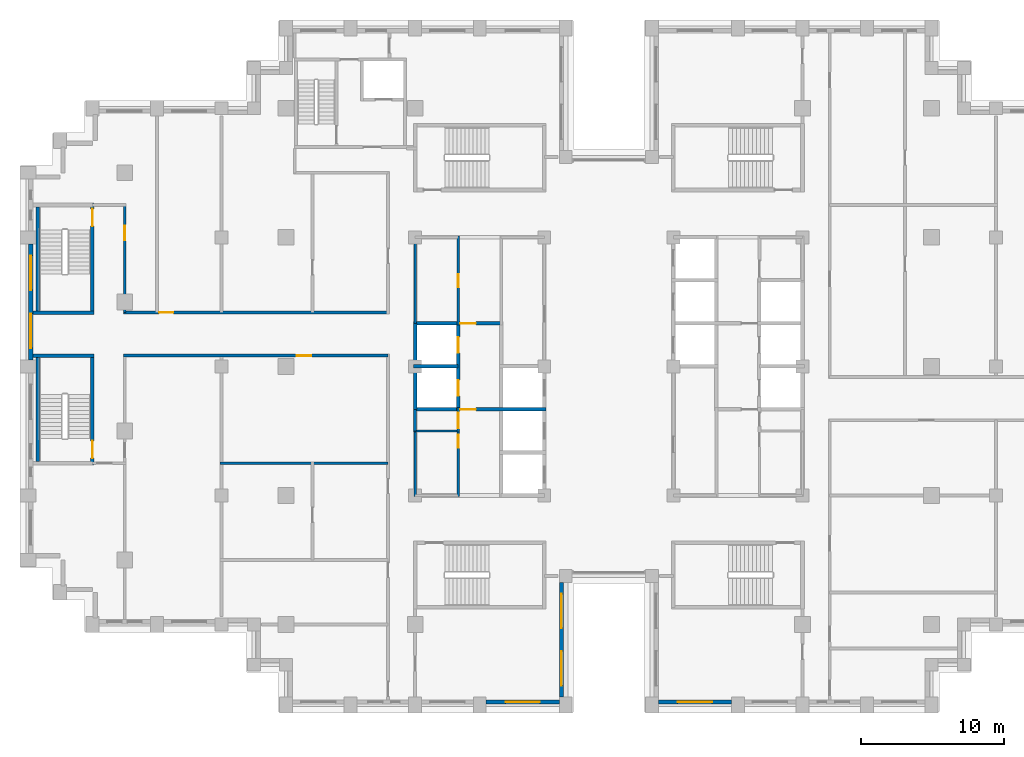
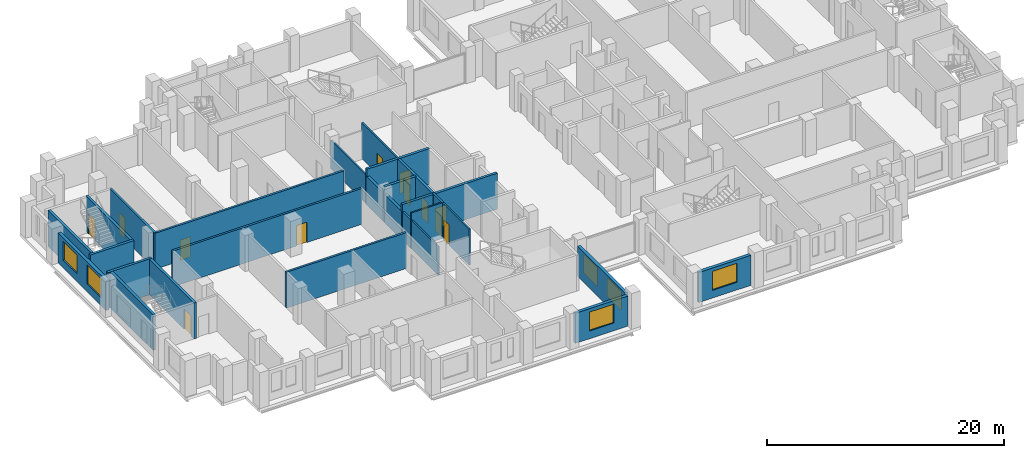
# One storey, part 7 of 15: 26 walls, 12 doors, 6 windows, 18 openings.
"""IFC4 building model written with IfcOpenShell, lengths in metres."""

from ifc_helpers import new_model, si_unit, direction, frame, frame_2d, origin, place, context, subcontext, project, spatial, rectangle, extrude, material, layer, layer_set, type_object, element, fill, save


model = new_model("IFC4")

# Units and contexts
model_context = context("Model", 3, precision=1e-05, world=origin(), true_north=direction((0.0, 1.0)))
body_context = subcontext(model_context, "Body", "Model", "MODEL_VIEW")
ifc_project = project(units=[si_unit("LENGTHUNIT", "METRE"), si_unit("AREAUNIT", "SQUARE_METRE"), si_unit("VOLUMEUNIT", "CUBIC_METRE"), si_unit("PLANEANGLEUNIT", "RADIAN"), si_unit("MASSUNIT", "GRAM", prefix="KILO")], contexts=[model_context])

# Site, building, storey
site_placement = place(None, origin())
site = spatial("IfcSite", under=ifc_project, at=site_placement, CompositionType="ELEMENT")
building_placement = place(site_placement, origin())
building = spatial("IfcBuilding", under=site, at=building_placement, Name="Corbelhall Arena Tower", CompositionType="ELEMENT")
storey_placement = place(building_placement, frame((0.0, 0.0, 162.0)))
storey = spatial("IfcBuildingStorey", under=building, at=storey_placement, Name="L32", CompositionType="ELEMENT", Elevation=162.0)

# Wall, openings, windows
ifc_material_1 = material(Name="Precast concrete C40/50 with granite facing", Category="masonry")
ifc_layer_1 = layer(ifc_material_1, 0.300048828125)
ifc_layer_set_1 = layer_set([ifc_layer_1], Name="EV-IW1 Infill panel 300")
wall_type_1 = type_object("IfcWallType", Name="EV-IW1 Infill panel 300", PredefinedType="SOLIDWALL", material=ifc_layer_set_1)
wall_1_placement = place(storey_placement, frame((-40.300048828125, 8.550048828125, 0.0), z_axis=(0.0, 0.0, 1.0), x_axis=(0.0, -1.0, 0.0)))
wall_1 = element("IfcWall", 1, at=wall_1_placement, inside=storey, type_object=wall_type_1, Name="Infill panel IW1", PredefinedType="SOLIDWALL", context=body_context, shape_type="SweptSolid", body=[
    extrude(rectangle(XDim=8.10009765625, YDim=0.300048828125, at=frame_2d((4.050048828125, 0.0))), origin(), (0.0, 0.0, 1.0), 3.10009765625),
])
opening_1_placement = place(wall_1_placement, frame((0.824951171875, 0.0, 0.800048828125)))
opening_1 = element("IfcOpeningElement", 2, at=opening_1_placement, cuts=wall_1, Name="Opening WN1", PredefinedType="OPENING", context=body_context, shape_type="SweptSolid", body=[
    extrude(rectangle(XDim=2.39990234375, YDim=1.949951171875, at=frame_2d((1.199951171875, 0.97509765625))), frame((0.0, 0.14990234375, 0.0), z_axis=(0.0, -1.0, 0.0), x_axis=(1.0, 0.0, 0.0)), (0.0, 0.0, 1.0), 0.300048828125),
])
opening_2_placement = place(wall_1_placement, frame((4.875, 0.0, 0.800048828125)))
opening_2 = element("IfcOpeningElement", 3, at=opening_2_placement, cuts=wall_1, Name="Opening WN1", PredefinedType="OPENING", context=body_context, shape_type="SweptSolid", body=[
    extrude(rectangle(XDim=2.39990234375, YDim=1.949951171875, at=frame_2d((1.199951171875, 0.97509765625))), frame((0.0, 0.14990234375, 0.0), z_axis=(0.0, -1.0, 0.0), x_axis=(1.0, 0.0, 0.0)), (0.0, 0.0, 1.0), 0.300048828125),
])
ifc_material_2 = material(Name="Aluminium black anodised", Category="aluminium")
window_type = type_object("IfcWindowType", Name="EV-WN1 Office window", PartitioningType="SINGLE_PANEL", PredefinedType="WINDOW", material=ifc_material_2)
window_1_placement = place(opening_1_placement, origin())
window_1 = element("IfcWindow", 4, at=window_1_placement, inside=storey, type_object=window_type, Name="Window WN1", OverallHeight=1.949951171875, OverallWidth=2.39990234375, PartitioningType="SINGLE_PANEL", PredefinedType="WINDOW", context=body_context, shape_type="SweptSolid", body=[
    extrude(rectangle(XDim=2.39990234375, YDim=1.949951171875, at=frame_2d((1.199951171875, 0.97509765625))), frame((0.0, 0.030029296875, 0.0), z_axis=(0.0, -1.0, 0.0), x_axis=(1.0, 0.0, 0.0)), (0.0, 0.0, 1.0), 0.06005859375),
])
fill(opening_1, window_1)
window_2_placement = place(opening_2_placement, origin())
window_2 = element("IfcWindow", 5, at=window_2_placement, inside=storey, type_object=window_type, Name="Window WN1", OverallHeight=1.949951171875, OverallWidth=2.39990234375, PartitioningType="SINGLE_PANEL", PredefinedType="WINDOW", context=body_context, shape_type="SweptSolid", body=[
    extrude(rectangle(XDim=2.39990234375, YDim=1.949951171875, at=frame_2d((1.199951171875, 0.97509765625))), frame((0.0, 0.030029296875, 0.0), z_axis=(0.0, -1.0, 0.0), x_axis=(1.0, 0.0, 0.0)), (0.0, 0.0, 1.0), 0.06005859375),
])
fill(opening_2, window_2)

# Wall, opening, window
wall_2_placement = place(storey_placement, frame((-8.550048828125, -23.39990234375, 0.0), z_axis=(0.0, 0.0, 1.0), x_axis=(1.0, 0.0, 0.0)))
wall_2 = element("IfcWall", 6, at=wall_2_placement, inside=storey, type_object=wall_type_1, Name="Infill panel IW1", PredefinedType="SOLIDWALL", context=body_context, shape_type="SweptSolid", body=[
    extrude(rectangle(XDim=5.10009765625, YDim=0.300048828125, at=frame_2d((2.550048828125, 0.0))), origin(), (0.0, 0.0, 1.0), 3.10009765625),
])
opening_3_placement = place(wall_2_placement, frame((1.35009765625, 0.0, 0.800048828125)))
opening_3 = element("IfcOpeningElement", 7, at=opening_3_placement, cuts=wall_2, Name="Opening WN1", PredefinedType="OPENING", context=body_context, shape_type="SweptSolid", body=[
    extrude(rectangle(XDim=2.39990234375, YDim=1.949951171875, at=frame_2d((1.199951171875, 0.97509765625))), frame((0.0, 0.14990234375, 0.0), z_axis=(0.0, -1.0, 0.0), x_axis=(1.0, 0.0, 0.0)), (0.0, 0.0, 1.0), 0.300048828125),
])
window_3_placement = place(opening_3_placement, origin())
window_3 = element("IfcWindow", 8, at=window_3_placement, inside=storey, type_object=window_type, Name="Window WN1", OverallHeight=1.949951171875, OverallWidth=2.39990234375, PartitioningType="SINGLE_PANEL", PredefinedType="WINDOW", context=body_context, shape_type="SweptSolid", body=[
    extrude(rectangle(XDim=2.39990234375, YDim=1.949951171875, at=frame_2d((1.199951171875, 0.97509765625))), frame((0.0, 0.030029296875, 0.0), z_axis=(0.0, -1.0, 0.0), x_axis=(1.0, 0.0, 0.0)), (0.0, 0.0, 1.0), 0.06005859375),
])
fill(opening_3, window_3)

# Wall, openings, windows
wall_3_placement = place(storey_placement, frame((-3.300048828125, -23.050048828125, 0.0), z_axis=(0.0, 0.0, 1.0), x_axis=(0.0, 1.0, 0.0)))
wall_3 = element("IfcWall", 9, at=wall_3_placement, inside=storey, type_object=wall_type_1, Name="Infill panel IW1", PredefinedType="SOLIDWALL", context=body_context, shape_type="SweptSolid", body=[
    extrude(rectangle(XDim=8.0, YDim=0.300048828125, at=frame_2d((4.0, 0.0))), origin(), (0.0, 0.0, 1.0), 3.10009765625),
])
opening_4_placement = place(wall_3_placement, frame((0.800048828125, 0.0, 0.800048828125)))
opening_4 = element("IfcOpeningElement", 10, at=opening_4_placement, cuts=wall_3, Name="Opening WN1", PredefinedType="OPENING", context=body_context, shape_type="SweptSolid", body=[
    extrude(rectangle(XDim=2.39990234375, YDim=1.949951171875, at=frame_2d((1.199951171875, 0.97509765625))), frame((0.0, 0.14990234375, 0.0), z_axis=(0.0, -1.0, 0.0), x_axis=(1.0, 0.0, 0.0)), (0.0, 0.0, 1.0), 0.300048828125),
])
opening_5_placement = place(wall_3_placement, frame((4.800048828125, 0.0, 0.800048828125)))
opening_5 = element("IfcOpeningElement", 11, at=opening_5_placement, cuts=wall_3, Name="Opening WN1", PredefinedType="OPENING", context=body_context, shape_type="SweptSolid", body=[
    extrude(rectangle(XDim=2.39990234375, YDim=1.949951171875, at=frame_2d((1.199951171875, 0.97509765625))), frame((0.0, 0.14990234375, 0.0), z_axis=(0.0, -1.0, 0.0), x_axis=(1.0, 0.0, 0.0)), (0.0, 0.0, 1.0), 0.300048828125),
])
window_4_placement = place(opening_4_placement, origin())
window_4 = element("IfcWindow", 12, at=window_4_placement, inside=storey, type_object=window_type, Name="Window WN1", OverallHeight=1.949951171875, OverallWidth=2.39990234375, PartitioningType="SINGLE_PANEL", PredefinedType="WINDOW", context=body_context, shape_type="SweptSolid", body=[
    extrude(rectangle(XDim=2.39990234375, YDim=1.949951171875, at=frame_2d((1.199951171875, 0.97509765625))), frame((0.0, 0.030029296875, 0.0), z_axis=(0.0, -1.0, 0.0), x_axis=(1.0, 0.0, 0.0)), (0.0, 0.0, 1.0), 0.06005859375),
])
fill(opening_4, window_4)
window_5_placement = place(opening_5_placement, origin())
window_5 = element("IfcWindow", 13, at=window_5_placement, inside=storey, type_object=window_type, Name="Window WN1", OverallHeight=1.949951171875, OverallWidth=2.39990234375, PartitioningType="SINGLE_PANEL", PredefinedType="WINDOW", context=body_context, shape_type="SweptSolid", body=[
    extrude(rectangle(XDim=2.39990234375, YDim=1.949951171875, at=frame_2d((1.199951171875, 0.97509765625))), frame((0.0, 0.030029296875, 0.0), z_axis=(0.0, -1.0, 0.0), x_axis=(1.0, 0.0, 0.0)), (0.0, 0.0, 1.0), 0.06005859375),
])
fill(opening_5, window_5)

# Wall, opening, window
wall_4_placement = place(storey_placement, frame((3.449951171875, -23.39990234375, 0.0), z_axis=(0.0, 0.0, 1.0), x_axis=(1.0, 0.0, 0.0)))
wall_4 = element("IfcWall", 14, at=wall_4_placement, inside=storey, type_object=wall_type_1, Name="Infill panel IW1", PredefinedType="SOLIDWALL", context=body_context, shape_type="SweptSolid", body=[
    extrude(rectangle(XDim=5.10009765625, YDim=0.300048828125, at=frame_2d((2.550048828125, 0.0))), origin(), (0.0, 0.0, 1.0), 3.10009765625),
])
opening_6_placement = place(wall_4_placement, frame((1.35009765625, 0.0, 0.800048828125)))
opening_6 = element("IfcOpeningElement", 15, at=opening_6_placement, cuts=wall_4, Name="Opening WN1", PredefinedType="OPENING", context=body_context, shape_type="SweptSolid", body=[
    extrude(rectangle(XDim=2.39990234375, YDim=1.949951171875, at=frame_2d((1.199951171875, 0.97509765625))), frame((0.0, 0.14990234375, 0.0), z_axis=(0.0, -1.0, 0.0), x_axis=(1.0, 0.0, 0.0)), (0.0, 0.0, 1.0), 0.300048828125),
])
window_6_placement = place(opening_6_placement, origin())
window_6 = element("IfcWindow", 16, at=window_6_placement, inside=storey, type_object=window_type, Name="Window WN1", OverallHeight=1.949951171875, OverallWidth=2.39990234375, PartitioningType="SINGLE_PANEL", PredefinedType="WINDOW", context=body_context, shape_type="SweptSolid", body=[
    extrude(rectangle(XDim=2.39990234375, YDim=1.949951171875, at=frame_2d((1.199951171875, 0.97509765625))), frame((0.0, 0.030029296875, 0.0), z_axis=(0.0, -1.0, 0.0), x_axis=(1.0, 0.0, 0.0)), (0.0, 0.0, 1.0), 0.06005859375),
])
fill(opening_6, window_6)

# Wall, opening, door
ifc_material_3 = material(Name="Gypsum board on steel stud, acoustic", Category="steel")
ifc_layer_2 = layer(ifc_material_3, 0.199951171875)
ifc_layer_set_2 = layer_set([ifc_layer_2], Name="IN-W-DM200")
wall_type_2 = type_object("IfcWallType", Name="IN-W-DM200", PredefinedType="PARTITIONING", material=ifc_layer_set_2)
wall_5_placement = place(storey_placement, frame((-33.85009765625, 3.75, 0.0), z_axis=(0.0, 0.0, 1.0), x_axis=(1.0, 0.0, 0.0)))
wall_5 = element("IfcWall", 17, at=wall_5_placement, inside=storey, type_object=wall_type_2, Name="Partition 002", PredefinedType="PARTITIONING", context=body_context, shape_type="SweptSolid", body=[
    extrude(rectangle(XDim=18.4501953125, YDim=0.199951171875, at=frame_2d((9.22509765625, 0.0))), origin(), (0.0, 0.0, 1.0), 3.699951171875),
])
opening_7_placement = place(wall_5_placement, frame((2.5, 0.0, 0.0)))
opening_7 = element("IfcOpeningElement", 18, at=opening_7_placement, cuts=wall_5, Name="Opening 09040", PredefinedType="OPENING", context=body_context, shape_type="SweptSolid", body=[
    extrude(rectangle(XDim=1.0, YDim=2.10009765625, at=frame_2d((0.5, 1.050048828125))), frame((0.0, 0.10009765625, 0.0), z_axis=(0.0, -1.0, 0.0), x_axis=(1.0, 0.0, 0.0)), (0.0, 0.0, 1.0), 0.199951171875),
])
ifc_material_4 = material(Name="Steel door set", Category="steel")
door_type_1 = type_object("IfcDoorType", Name="IN-D-SW100", OperationType="NOTDEFINED", PredefinedType="DOOR", material=ifc_material_4)
door_1_placement = place(opening_7_placement, origin())
door_1 = element("IfcDoor", 19, at=door_1_placement, inside=storey, type_object=door_type_1, Name="Door 040", OperationType="SINGLE_SWING_LEFT", OverallHeight=2.10009765625, OverallWidth=1.0, PredefinedType="DOOR", context=body_context, shape_type="SweptSolid", body=[
    extrude(rectangle(XDim=1.0, YDim=2.10009765625, at=frame_2d((0.5, 1.050048828125))), frame((0.0, 0.02490234375, 0.0), z_axis=(0.0, -1.0, 0.0), x_axis=(1.0, 0.0, 0.0)), (0.0, 0.0, 1.0), 0.050048828125),
])
fill(opening_7, door_1)

wall_6_placement = place(storey_placement, frame((-33.75, 11.25, 0.0), z_axis=(0.0, 0.0, 1.0), x_axis=(0.0, -1.0, 0.0)))
wall_6 = element("IfcWall", 20, at=wall_6_placement, inside=storey, type_object=wall_type_2, Name="Partition 004", PredefinedType="PARTITIONING", context=body_context, shape_type="SweptSolid", body=[
    extrude(rectangle(XDim=7.5, YDim=0.199951171875, at=frame_2d((3.75, 0.0))), origin(), (0.0, 0.0, 1.0), 3.699951171875),
])
opening_8_placement = place(wall_6_placement, frame((1.449951171875, 0.0, 0.0)))
opening_8 = element("IfcOpeningElement", 21, at=opening_8_placement, cuts=wall_6, Name="Opening 09039", PredefinedType="OPENING", context=body_context, shape_type="SweptSolid", body=[
    extrude(rectangle(XDim=1.0, YDim=2.10009765625, at=frame_2d((0.5, 1.050048828125))), frame((0.0, 0.10009765625, 0.0), z_axis=(0.0, -1.0, 0.0), x_axis=(1.0, 0.0, 0.0)), (0.0, 0.0, 1.0), 0.199951171875),
])
door_2_placement = place(opening_8_placement, origin())
door_2 = element("IfcDoor", 22, at=door_2_placement, inside=storey, type_object=door_type_1, Name="Door 039", OperationType="SINGLE_SWING_RIGHT", OverallHeight=2.10009765625, OverallWidth=1.0, PredefinedType="DOOR", context=body_context, shape_type="SweptSolid", body=[
    extrude(rectangle(XDim=1.0, YDim=2.10009765625, at=frame_2d((0.5, 1.050048828125))), frame((0.0, 0.02490234375, 0.0), z_axis=(0.0, -1.0, 0.0), x_axis=(1.0, 0.0, 0.0)), (0.0, 0.0, 1.0), 0.050048828125),
])
fill(opening_8, door_2)

# Wall
wall_7_placement = place(storey_placement, frame((-27.10009765625, -6.75, 0.0), z_axis=(0.0, 0.0, 1.0), x_axis=(1.0, 0.0, 0.0)))
element("IfcWall", 23, at=wall_7_placement, inside=storey, type_object=wall_type_2, Name="Partition 008", PredefinedType="PARTITIONING", context=body_context, shape_type="SweptSolid", body=[
    extrude(rectangle(XDim=11.7001953125, YDim=0.199951171875, at=frame_2d((5.85009765625, 0.0))), origin(), (0.0, 0.0, 1.0), 3.699951171875),
])

# Wall, opening, door
wall_8_placement = place(storey_placement, frame((-15.39990234375, 0.75, 0.0), z_axis=(0.0, 0.0, 1.0), x_axis=(-1.0, 0.0, 0.0)))
wall_8 = element("IfcWall", 24, at=wall_8_placement, inside=storey, type_object=wall_type_2, Name="Partition 011", PredefinedType="PARTITIONING", context=body_context, shape_type="SweptSolid", body=[
    extrude(rectangle(XDim=18.4501953125, YDim=0.199951171875, at=frame_2d((9.22509765625, 0.0))), origin(), (0.0, 0.0, 1.0), 3.699951171875),
])
opening_9_placement = place(wall_8_placement, frame((5.35009765625, 0.0, 0.0)))
opening_9 = element("IfcOpeningElement", 25, at=opening_9_placement, cuts=wall_8, Name="Opening 09030", PredefinedType="OPENING", context=body_context, shape_type="SweptSolid", body=[
    extrude(rectangle(XDim=1.0, YDim=2.10009765625, at=frame_2d((0.5, 1.050048828125))), frame((0.0, 0.10009765625, 0.0), z_axis=(0.0, -1.0, 0.0), x_axis=(1.0, 0.0, 0.0)), (0.0, 0.0, 1.0), 0.199951171875),
])
door_3_placement = place(opening_9_placement, origin())
door_3 = element("IfcDoor", 26, at=door_3_placement, inside=storey, type_object=door_type_1, Name="Door 030", OperationType="SINGLE_SWING_LEFT", OverallHeight=2.10009765625, OverallWidth=1.0, PredefinedType="DOOR", context=body_context, shape_type="SweptSolid", body=[
    extrude(rectangle(XDim=1.0, YDim=2.10009765625, at=frame_2d((0.5, 1.050048828125))), frame((0.0, 0.02490234375, 0.0), z_axis=(0.0, -1.0, 0.0), x_axis=(1.0, 0.0, 0.0)), (0.0, 0.0, 1.0), 0.050048828125),
])
fill(opening_9, door_3)

ifc_material_5 = material(Name="Concrete block wall", Category="concrete")
ifc_layer_3 = layer(ifc_material_5, 0.199951171875)
ifc_layer_set_3 = layer_set([ifc_layer_3], Name="IN-W-RS200")
wall_type_3 = type_object("IfcWallType", Name="IN-W-RS200", PredefinedType="SOLIDWALL", material=ifc_layer_set_3)
wall_9_placement = place(storey_placement, frame((-10.5, -4.574951171875, 0.0), z_axis=(0.0, 0.0, 1.0), x_axis=(0.0, 1.0, 0.0)))
wall_9 = element("IfcWall", 27, at=wall_9_placement, inside=storey, type_object=wall_type_3, Name="Partition 045", PredefinedType="SOLIDWALL", context=body_context, shape_type="SweptSolid", body=[
    extrude(rectangle(XDim=1.699951171875, YDim=0.199951171875, at=frame_2d((0.85009765625, 0.0))), origin(), (0.0, 0.0, 1.0), 3.699951171875),
])
opening_10_placement = place(wall_9_placement, frame((0.25, 0.0, 0.0)))
opening_10 = element("IfcOpeningElement", 28, at=opening_10_placement, cuts=wall_9, Name="Opening 09005", PredefinedType="OPENING", context=body_context, shape_type="SweptSolid", body=[
    extrude(rectangle(XDim=1.10009765625, YDim=2.10009765625, at=frame_2d((0.550048828125, 1.050048828125))), frame((0.0, 0.10009765625, 0.0), z_axis=(0.0, -1.0, 0.0), x_axis=(1.0, 0.0, 0.0)), (0.0, 0.0, 1.0), 0.199951171875),
])
door_type_2 = type_object("IfcDoorType", Name="IN-D-FD110", OperationType="NOTDEFINED", PredefinedType="DOOR", material=ifc_material_4)
door_4_placement = place(opening_10_placement, origin())
door_4 = element("IfcDoor", 29, at=door_4_placement, inside=storey, type_object=door_type_2, Name="Door 005", OperationType="SINGLE_SWING_RIGHT", OverallHeight=2.10009765625, OverallWidth=1.10009765625, PredefinedType="DOOR", context=body_context, shape_type="SweptSolid", body=[
    extrude(rectangle(XDim=1.10009765625, YDim=2.10009765625, at=frame_2d((0.550048828125, 1.050048828125))), frame((0.0, 0.02490234375, 0.0), z_axis=(0.0, -1.0, 0.0), x_axis=(1.0, 0.0, 0.0)), (0.0, 0.0, 1.0), 0.050048828125),
])
fill(opening_10, door_4)

# Walls
ifc_layer_4 = layer(ifc_material_5, 0.199951171875)
ifc_layer_set_4 = layer_set([ifc_layer_4], Name="IN-W-RS200 under beam 762 mm")
wall_type_4 = type_object("IfcWallType", Name="IN-W-RS200 under beam 762 mm", PredefinedType="SOLIDWALL", material=ifc_layer_set_4)
wall_10_placement = place(storey_placement, frame((-13.5, -4.5, 0.0), z_axis=(0.0, 0.0, 1.0), x_axis=(0.0, 1.0, 0.0)))
element("IfcWall", 30, at=wall_10_placement, inside=storey, type_object=wall_type_4, Name="Partition 044", PredefinedType="SOLIDWALL", context=body_context, shape_type="SweptSolid", body=[
    extrude(rectangle(XDim=1.5, YDim=0.199951171875, at=frame_2d((0.75, 0.0))), origin(), (0.0, 0.0, 1.0), 2.93798828125),
])
ifc_material_6 = material(Name="Concrete C40/50", Category="concrete")
ifc_layer_5 = layer(ifc_material_6, 0.25)
ifc_layer_set_5 = layer_set([ifc_layer_5], Name="IN-W-SH250")
wall_type_5 = type_object("IfcWallType", Name="IN-W-SH250", PredefinedType="SOLIDWALL", material=ifc_layer_set_5)
wall_11_placement = place(storey_placement, frame((-13.625, 0.0, 0.0), z_axis=(0.0, 0.0, 1.0), x_axis=(1.0, 0.0, 0.0)))
element("IfcWall", 31, at=wall_11_placement, inside=storey, type_object=wall_type_5, Name="Shaft wall 057", PredefinedType="SOLIDWALL", context=body_context, shape_type="SweptSolid", body=[
    extrude(rectangle(XDim=3.125, YDim=0.25, at=frame_2d((1.5625, 0.0))), origin(), (0.0, 0.0, 1.0), 3.699951171875),
])

# Wall, opening, door
wall_12_placement = place(storey_placement, frame((-13.625, 3.0, 0.0), z_axis=(0.0, 0.0, 1.0), x_axis=(1.0, 0.0, 0.0)))
wall_12 = element("IfcWall", 32, at=wall_12_placement, inside=storey, type_object=wall_type_5, Name="Shaft wall 058", PredefinedType="SOLIDWALL", context=body_context, shape_type="SweptSolid", body=[
    extrude(rectangle(XDim=6.125, YDim=0.25, at=frame_2d((3.0625, 0.0))), origin(), (0.0, 0.0, 1.0), 3.699951171875),
])
opening_11_placement = place(wall_12_placement, frame((3.25, 0.0, 0.0)))
opening_11 = element("IfcOpeningElement", 33, at=opening_11_placement, cuts=wall_12, Name="Opening 09003", PredefinedType="OPENING", context=body_context, shape_type="SweptSolid", body=[
    extrude(rectangle(XDim=1.10009765625, YDim=2.10009765625, at=frame_2d((0.550048828125, 1.050048828125))), frame((0.0, 0.125, 0.0), z_axis=(0.0, -1.0, 0.0), x_axis=(1.0, 0.0, 0.0)), (0.0, 0.0, 1.0), 0.25),
])
door_5_placement = place(opening_11_placement, origin())
door_5 = element("IfcDoor", 34, at=door_5_placement, inside=storey, type_object=door_type_2, Name="Door 003", OperationType="SINGLE_SWING_RIGHT", OverallHeight=2.10009765625, OverallWidth=1.10009765625, PredefinedType="DOOR", context=body_context, shape_type="SweptSolid", body=[
    extrude(rectangle(XDim=1.10009765625, YDim=2.10009765625, at=frame_2d((0.550048828125, 1.050048828125))), frame((0.0, 0.02490234375, 0.0), z_axis=(0.0, -1.0, 0.0), x_axis=(1.0, 0.0, 0.0)), (0.0, 0.0, 1.0), 0.050048828125),
])
fill(opening_11, door_5)

wall_13_placement = place(storey_placement, frame((-13.625, -3.0, 0.0), z_axis=(0.0, 0.0, 1.0), x_axis=(1.0, 0.0, 0.0)))
wall_13 = element("IfcWall", 35, at=wall_13_placement, inside=storey, type_object=wall_type_5, Name="Shaft wall 060", PredefinedType="SOLIDWALL", context=body_context, shape_type="SweptSolid", body=[
    extrude(rectangle(XDim=9.25, YDim=0.25, at=frame_2d((4.625, 0.0))), origin(), (0.0, 0.0, 1.0), 3.699951171875),
])
opening_12_placement = place(wall_13_placement, frame((3.25, 0.0, 0.0)))
opening_12 = element("IfcOpeningElement", 36, at=opening_12_placement, cuts=wall_13, Name="Opening 09002", PredefinedType="OPENING", context=body_context, shape_type="SweptSolid", body=[
    extrude(rectangle(XDim=1.10009765625, YDim=2.10009765625, at=frame_2d((0.550048828125, 1.050048828125))), frame((0.0, 0.125, 0.0), z_axis=(0.0, -1.0, 0.0), x_axis=(1.0, 0.0, 0.0)), (0.0, 0.0, 1.0), 0.25),
])
door_6_placement = place(opening_12_placement, origin())
door_6 = element("IfcDoor", 37, at=door_6_placement, inside=storey, type_object=door_type_2, Name="Door 002", OperationType="SINGLE_SWING_LEFT", OverallHeight=2.10009765625, OverallWidth=1.10009765625, PredefinedType="DOOR", context=body_context, shape_type="SweptSolid", body=[
    extrude(rectangle(XDim=1.10009765625, YDim=2.10009765625, at=frame_2d((0.550048828125, 1.050048828125))), frame((0.0, 0.02490234375, 0.0), z_axis=(0.0, -1.0, 0.0), x_axis=(1.0, 0.0, 0.0)), (0.0, 0.0, 1.0), 0.050048828125),
])
fill(opening_12, door_6)

# Wall, openings, doors
wall_14_placement = place(storey_placement, frame((-10.5, -3.125, 0.0), z_axis=(0.0, 0.0, 1.0), x_axis=(0.0, 1.0, 0.0)))
wall_14 = element("IfcWall", 38, at=wall_14_placement, inside=storey, type_object=wall_type_5, Name="Shaft wall 061", PredefinedType="SOLIDWALL", context=body_context, shape_type="SweptSolid", body=[
    extrude(rectangle(XDim=6.25, YDim=0.25, at=frame_2d((3.125, 0.0))), origin(), (0.0, 0.0, 1.0), 3.699951171875),
])
opening_13_placement = place(wall_14_placement, frame((1.074951171875, 0.0, 0.0)))
opening_13 = element("IfcOpeningElement", 39, at=opening_13_placement, cuts=wall_14, Name="Opening LD", PredefinedType="OPENING", context=body_context, shape_type="SweptSolid", body=[
    extrude(rectangle(XDim=1.10009765625, YDim=2.10009765625, at=frame_2d((0.550048828125, 1.050048828125))), frame((0.0, 0.125, 0.0), z_axis=(0.0, -1.0, 0.0), x_axis=(1.0, 0.0, 0.0)), (0.0, 0.0, 1.0), 0.25),
])
opening_14_placement = place(wall_14_placement, frame((4.074951171875, 0.0, 0.0)))
opening_14 = element("IfcOpeningElement", 40, at=opening_14_placement, cuts=wall_14, Name="Opening LD", PredefinedType="OPENING", context=body_context, shape_type="SweptSolid", body=[
    extrude(rectangle(XDim=1.10009765625, YDim=2.10009765625, at=frame_2d((0.550048828125, 1.050048828125))), frame((0.0, 0.125, 0.0), z_axis=(0.0, -1.0, 0.0), x_axis=(1.0, 0.0, 0.0)), (0.0, 0.0, 1.0), 0.25),
])
door_type_3 = type_object("IfcDoorType", Name="IN-D-LD110", OperationType="NOTDEFINED", PredefinedType="DOOR", material=ifc_material_4)
door_7_placement = place(opening_13_placement, origin())
door_7 = element("IfcDoor", 41, at=door_7_placement, inside=storey, type_object=door_type_3, Name="Landing door W3", OperationType="SLIDING_TO_LEFT", OverallHeight=2.10009765625, OverallWidth=1.10009765625, PredefinedType="DOOR", context=body_context, shape_type="SweptSolid", body=[
    extrude(rectangle(XDim=1.10009765625, YDim=2.10009765625, at=frame_2d((0.550048828125, 1.050048828125))), frame((0.0, 0.02490234375, 0.0), z_axis=(0.0, -1.0, 0.0), x_axis=(1.0, 0.0, 0.0)), (0.0, 0.0, 1.0), 0.050048828125),
])
fill(opening_13, door_7)
door_8_placement = place(opening_14_placement, origin())
door_8 = element("IfcDoor", 42, at=door_8_placement, inside=storey, type_object=door_type_3, Name="Landing door W4", OperationType="SLIDING_TO_LEFT", OverallHeight=2.10009765625, OverallWidth=1.10009765625, PredefinedType="DOOR", context=body_context, shape_type="SweptSolid", body=[
    extrude(rectangle(XDim=1.10009765625, YDim=2.10009765625, at=frame_2d((0.550048828125, 1.050048828125))), frame((0.0, 0.02490234375, 0.0), z_axis=(0.0, -1.0, 0.0), x_axis=(1.0, 0.0, 0.0)), (0.0, 0.0, 1.0), 0.050048828125),
])
fill(opening_14, door_8)

# Walls
ifc_layer_6 = layer(ifc_material_6, 0.25)
ifc_layer_set_6 = layer_set([ifc_layer_6], Name="IN-W-SH250 under beam 762 mm")
wall_type_6 = type_object("IfcWallType", Name="IN-W-SH250 under beam 762 mm", PredefinedType="SOLIDWALL", material=ifc_layer_set_6)
wall_15_placement = place(storey_placement, frame((-13.5, -3.0, 0.0), z_axis=(0.0, 0.0, 1.0), x_axis=(0.0, 1.0, 0.0)))
element("IfcWall", 43, at=wall_15_placement, inside=storey, type_object=wall_type_6, Name="Shaft wall 059", PredefinedType="SOLIDWALL", context=body_context, shape_type="SweptSolid", body=[
    extrude(rectangle(XDim=6.0, YDim=0.25, at=frame_2d((3.0, 0.0))), origin(), (0.0, 0.0, 1.0), 2.93798828125),
])
ifc_layer_7 = layer(ifc_material_6, 0.25)
ifc_layer_set_7 = layer_set([ifc_layer_7], Name="IN-W-ST250")
wall_type_7 = type_object("IfcWallType", Name="IN-W-ST250", PredefinedType="SOLIDWALL", material=ifc_layer_set_7)
wall_16_placement = place(storey_placement, frame((-40.14990234375, 3.75, 0.0), z_axis=(0.0, 0.0, 1.0), x_axis=(1.0, 0.0, 0.0)))
element("IfcWall", 44, at=wall_16_placement, inside=storey, type_object=wall_type_7, Name="Shaft wall 078", PredefinedType="SOLIDWALL", context=body_context, shape_type="SweptSolid", body=[
    extrude(rectangle(XDim=4.27490234375, YDim=0.25, at=frame_2d((2.137451171875, 0.0))), origin(), (0.0, 0.0, 1.0), 3.699951171875),
])

# Wall, opening, door
wall_17_placement = place(storey_placement, frame((-36.0, 0.75, 0.0), z_axis=(0.0, 0.0, 1.0), x_axis=(0.0, -1.0, 0.0)))
wall_17 = element("IfcWall", 45, at=wall_17_placement, inside=storey, type_object=wall_type_7, Name="Shaft wall 081", PredefinedType="SOLIDWALL", context=body_context, shape_type="SweptSolid", body=[
    extrude(rectangle(XDim=7.625, YDim=0.25, at=frame_2d((3.8125, 0.0))), origin(), (0.0, 0.0, 1.0), 3.699951171875),
])
opening_15_placement = place(wall_17_placement, frame((5.949951171875, 0.0, 0.0)))
opening_15 = element("IfcOpeningElement", 46, at=opening_15_placement, cuts=wall_17, Name="Opening 09017", PredefinedType="OPENING", context=body_context, shape_type="SweptSolid", body=[
    extrude(rectangle(XDim=1.199951171875, YDim=2.10009765625, at=frame_2d((0.60009765625, 1.050048828125))), frame((0.0, 0.125, 0.0), z_axis=(0.0, -1.0, 0.0), x_axis=(1.0, 0.0, 0.0)), (0.0, 0.0, 1.0), 0.25),
])
door_type_4 = type_object("IfcDoorType", Name="IN-D-ST120", OperationType="NOTDEFINED", PredefinedType="DOOR", material=ifc_material_4)
door_9_placement = place(opening_15_placement, origin())
door_9 = element("IfcDoor", 47, at=door_9_placement, inside=storey, type_object=door_type_4, Name="Door 017", OperationType="SINGLE_SWING_RIGHT", OverallHeight=2.10009765625, OverallWidth=1.199951171875, PredefinedType="DOOR", context=body_context, shape_type="SweptSolid", body=[
    extrude(rectangle(XDim=1.199951171875, YDim=2.10009765625, at=frame_2d((0.60009765625, 1.050048828125))), frame((0.0, 0.02490234375, 0.0), z_axis=(0.0, -1.0, 0.0), x_axis=(1.0, 0.0, 0.0)), (0.0, 0.0, 1.0), 0.050048828125),
])
fill(opening_15, door_9)

wall_18_placement = place(storey_placement, frame((-36.0, 11.375, 0.0), z_axis=(0.0, 0.0, 1.0), x_axis=(0.0, -1.0, 0.0)))
wall_18 = element("IfcWall", 48, at=wall_18_placement, inside=storey, type_object=wall_type_7, Name="Shaft wall 082", PredefinedType="SOLIDWALL", context=body_context, shape_type="SweptSolid", body=[
    extrude(rectangle(XDim=7.625, YDim=0.25, at=frame_2d((3.8125, 0.0))), origin(), (0.0, 0.0, 1.0), 3.699951171875),
])
opening_16_placement = place(wall_18_placement, frame((0.39990234375, 0.0, 0.0)))
opening_16 = element("IfcOpeningElement", 49, at=opening_16_placement, cuts=wall_18, Name="Opening 09016", PredefinedType="OPENING", context=body_context, shape_type="SweptSolid", body=[
    extrude(rectangle(XDim=1.199951171875, YDim=2.10009765625, at=frame_2d((0.60009765625, 1.050048828125))), frame((0.0, 0.125, 0.0), z_axis=(0.0, -1.0, 0.0), x_axis=(1.0, 0.0, 0.0)), (0.0, 0.0, 1.0), 0.25),
])
door_10_placement = place(opening_16_placement, origin())
door_10 = element("IfcDoor", 50, at=door_10_placement, inside=storey, type_object=door_type_4, Name="Door 016", OperationType="SINGLE_SWING_LEFT", OverallHeight=2.10009765625, OverallWidth=1.199951171875, PredefinedType="DOOR", context=body_context, shape_type="SweptSolid", body=[
    extrude(rectangle(XDim=1.199951171875, YDim=2.10009765625, at=frame_2d((0.60009765625, 1.050048828125))), frame((0.0, 0.02490234375, 0.0), z_axis=(0.0, -1.0, 0.0), x_axis=(1.0, 0.0, 0.0)), (0.0, 0.0, 1.0), 0.050048828125),
])
fill(opening_16, door_10)

# Walls
wall_19_placement = place(storey_placement, frame((-35.875, 0.75, 0.0), z_axis=(0.0, 0.0, 1.0), x_axis=(-1.0, 0.0, 0.0)))
element("IfcWall", 51, at=wall_19_placement, inside=storey, type_object=wall_type_7, Name="Shaft wall 083", PredefinedType="SOLIDWALL", context=body_context, shape_type="SweptSolid", body=[
    extrude(rectangle(XDim=4.27490234375, YDim=0.25, at=frame_2d((2.137451171875, 0.0))), origin(), (0.0, 0.0, 1.0), 3.699951171875),
])
for number, where, z_axis, x_axis, name in (
    (52, (-39.824951171875, 3.875, 0.0), (0.0, 0.0, 1.0), (0.0, 1.0, 0.0), "Shaft wall SC1 facade side"),
    (53, (-39.824951171875, -6.625, 0.0), (0.0, 0.0, 1.0), (0.0, 1.0, 0.0), "Shaft wall SC2 facade side"),
):
    element("IfcWall", number, at=place(storey_placement, frame(where, z_axis=z_axis, x_axis=x_axis)), inside=storey, type_object=wall_type_7, Name=name, PredefinedType="SOLIDWALL", context=body_context, shape_type="SweptSolid", body=[
        extrude(rectangle(XDim=7.25, YDim=0.25, at=frame_2d((3.625, 0.0))), origin(), (0.0, 0.0, 1.0), 3.699951171875),
    ])
ifc_material_7 = material(Name="Gypsum board on steel stud, moisture resistant", Category="steel")
ifc_layer_8 = layer(ifc_material_7, 0.14990234375)
ifc_layer_set_8 = layer_set([ifc_layer_8], Name="IN-W-WC150")
wall_type_8 = type_object("IfcWallType", Name="IN-W-WC150", PredefinedType="PARTITIONING", material=ifc_layer_set_8)
wall_20_placement = place(storey_placement, frame((-13.60009765625, -4.5, 0.0), z_axis=(0.0, 0.0, 1.0), x_axis=(1.0, 0.0, 0.0)))
element("IfcWall", 54, at=wall_20_placement, inside=storey, type_object=wall_type_8, Name="Partition 106", PredefinedType="PARTITIONING", context=body_context, shape_type="SweptSolid", body=[
    extrude(rectangle(XDim=3.10009765625, YDim=0.14990234375, at=frame_2d((1.550048828125, 0.0))), origin(), (0.0, 0.0, 1.0), 3.699951171875),
])

# Wall, opening, door
wall_21_placement = place(storey_placement, frame((-10.5, -9.074951171875, 0.0), z_axis=(0.0, 0.0, 1.0), x_axis=(0.0, 1.0, 0.0)))
wall_21 = element("IfcWall", 55, at=wall_21_placement, inside=storey, type_object=wall_type_8, Name="Partition 110", PredefinedType="PARTITIONING", context=body_context, shape_type="SweptSolid", body=[
    extrude(rectangle(XDim=4.64990234375, YDim=0.14990234375, at=frame_2d((2.324951171875, 0.0))), origin(), (0.0, 0.0, 1.0), 3.699951171875),
])
opening_17_placement = place(wall_21_placement, frame((3.39990234375, 0.0, 0.0)))
opening_17 = element("IfcOpeningElement", 56, at=opening_17_placement, cuts=wall_21, Name="Opening 09004", PredefinedType="OPENING", context=body_context, shape_type="SweptSolid", body=[
    extrude(rectangle(XDim=0.89990234375, YDim=2.10009765625, at=frame_2d((0.449951171875, 1.050048828125))), frame((0.0, 0.074951171875, 0.0), z_axis=(0.0, -1.0, 0.0), x_axis=(1.0, 0.0, 0.0)), (0.0, 0.0, 1.0), 0.14990234375),
])
ifc_material_8 = material(Name="Timber door set", Category="wood")
door_type_5 = type_object("IfcDoorType", Name="IN-D-SW90", OperationType="NOTDEFINED", PredefinedType="DOOR", material=ifc_material_8)
door_11_placement = place(opening_17_placement, origin())
door_11 = element("IfcDoor", 57, at=door_11_placement, inside=storey, type_object=door_type_5, Name="Door 004", OperationType="SINGLE_SWING_LEFT", OverallHeight=2.10009765625, OverallWidth=0.89990234375, PredefinedType="DOOR", context=body_context, shape_type="SweptSolid", body=[
    extrude(rectangle(XDim=0.89990234375, YDim=2.10009765625, at=frame_2d((0.449951171875, 1.050048828125))), frame((0.0, 0.02490234375, 0.0), z_axis=(0.0, -1.0, 0.0), x_axis=(1.0, 0.0, 0.0)), (0.0, 0.0, 1.0), 0.050048828125),
])
fill(opening_17, door_11)

wall_22_placement = place(storey_placement, frame((-10.5, 2.875, 0.0), z_axis=(0.0, 0.0, 1.0), x_axis=(0.0, 1.0, 0.0)))
wall_22 = element("IfcWall", 58, at=wall_22_placement, inside=storey, type_object=wall_type_8, Name="Partition 112", PredefinedType="PARTITIONING", context=body_context, shape_type="SweptSolid", body=[
    extrude(rectangle(XDim=6.199951171875, YDim=0.14990234375, at=frame_2d((3.10009765625, 0.0))), origin(), (0.0, 0.0, 1.0), 3.699951171875),
])
opening_18_placement = place(wall_22_placement, frame((2.64990234375, 0.0, 0.0)))
opening_18 = element("IfcOpeningElement", 59, at=opening_18_placement, cuts=wall_22, Name="Opening 09006", PredefinedType="OPENING", context=body_context, shape_type="SweptSolid", body=[
    extrude(rectangle(XDim=0.89990234375, YDim=2.10009765625, at=frame_2d((0.449951171875, 1.050048828125))), frame((0.0, 0.074951171875, 0.0), z_axis=(0.0, -1.0, 0.0), x_axis=(1.0, 0.0, 0.0)), (0.0, 0.0, 1.0), 0.14990234375),
])
door_12_placement = place(opening_18_placement, origin())
door_12 = element("IfcDoor", 60, at=door_12_placement, inside=storey, type_object=door_type_5, Name="Door 006", OperationType="SINGLE_SWING_LEFT", OverallHeight=2.10009765625, OverallWidth=0.89990234375, PredefinedType="DOOR", context=body_context, shape_type="SweptSolid", body=[
    extrude(rectangle(XDim=0.89990234375, YDim=2.10009765625, at=frame_2d((0.449951171875, 1.050048828125))), frame((0.0, 0.02490234375, 0.0), z_axis=(0.0, -1.0, 0.0), x_axis=(1.0, 0.0, 0.0)), (0.0, 0.0, 1.0), 0.050048828125),
])
fill(opening_18, door_12)

# Walls
ifc_layer_9 = layer(ifc_material_7, 0.14990234375)
ifc_layer_set_9 = layer_set([ifc_layer_9], Name="IN-W-WC150 under beam 762 mm")
wall_type_9 = type_object("IfcWallType", Name="IN-W-WC150 under beam 762 mm", PredefinedType="PARTITIONING", material=ifc_layer_set_9)
wall_23_placement = place(storey_placement, frame((-13.5, -9.074951171875, 0.0), z_axis=(0.0, 0.0, 1.0), x_axis=(0.0, 1.0, 0.0)))
element("IfcWall", 61, at=wall_23_placement, inside=storey, type_object=wall_type_9, Name="Partition 107", PredefinedType="PARTITIONING", context=body_context, shape_type="SweptSolid", body=[
    extrude(rectangle(XDim=4.574951171875, YDim=0.14990234375, at=frame_2d((2.28759765625, 0.0))), origin(), (0.0, 0.0, 1.0), 2.93798828125),
])
wall_24_placement = place(storey_placement, frame((-13.5, 3.0, 0.0), z_axis=(0.0, 0.0, 1.0), x_axis=(0.0, 1.0, 0.0)))
element("IfcWall", 62, at=wall_24_placement, inside=storey, type_object=wall_type_9, Name="Partition 108", PredefinedType="PARTITIONING", context=body_context, shape_type="SweptSolid", body=[
    extrude(rectangle(XDim=6.074951171875, YDim=0.14990234375, at=frame_2d((3.03759765625, 0.0))), origin(), (0.0, 0.0, 1.0), 2.93798828125),
])

save(model, "model.ifc")
